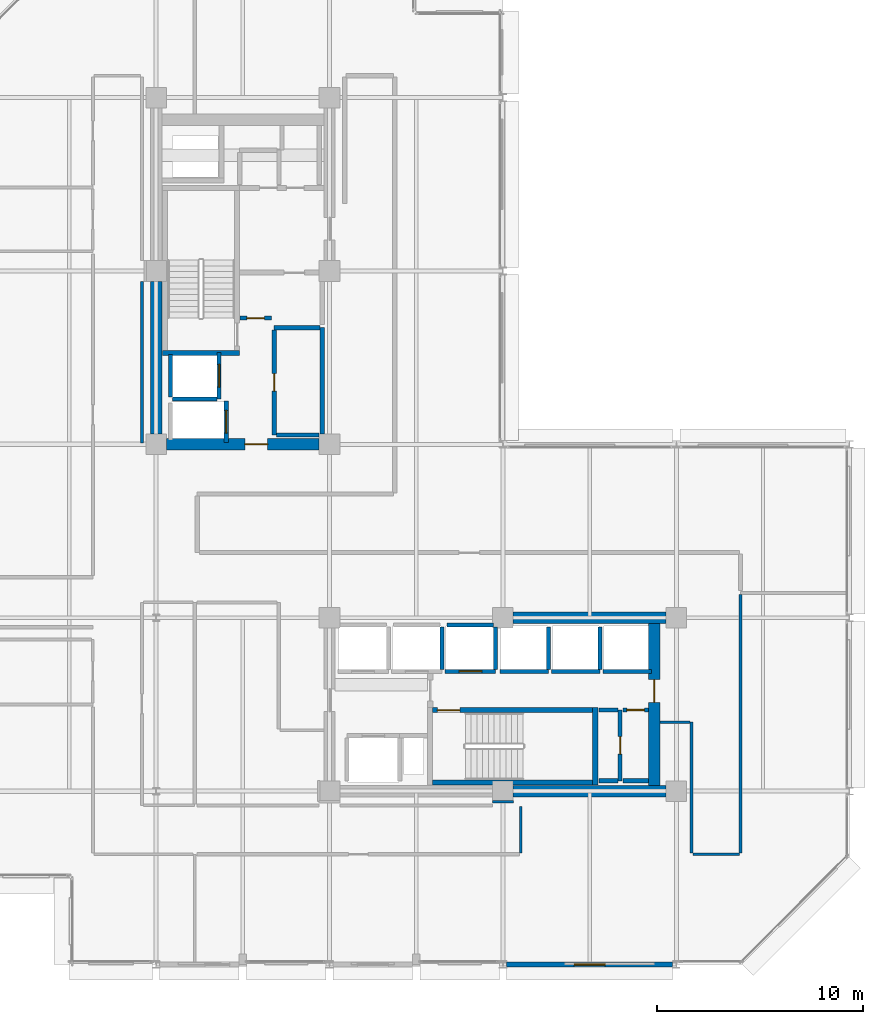
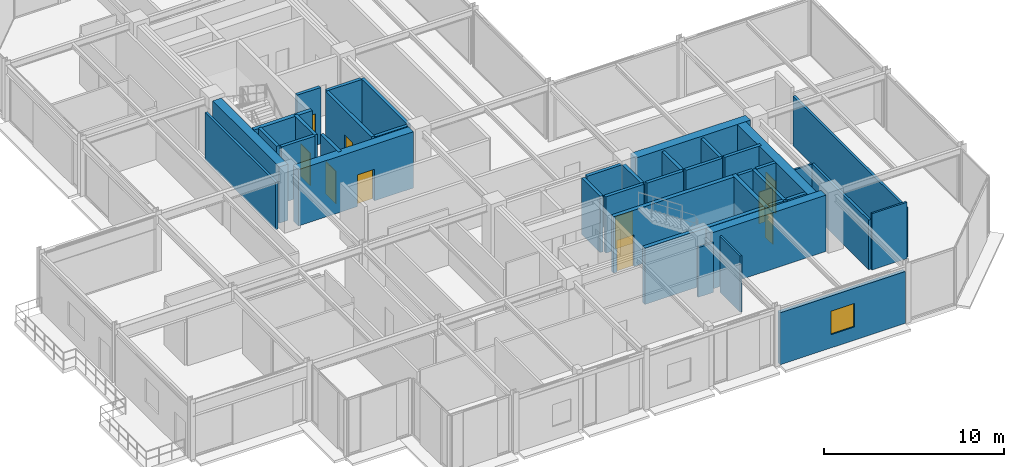
# One storey, part 25 of 29: 40 walls, 10 doors, 1 window, 11 openings.
"""IFC4 building model written with IfcOpenShell, lengths in metres."""

from ifc_helpers import new_model, si_unit, direction, frame, frame_2d, origin, place, context, subcontext, project, spatial, rectangle, extrude, material, layer, layer_set, type_object, element, fill, save


model = new_model("IFC4")

# Units and contexts
model_context = context("Model", 3, precision=1e-05, world=origin(), true_north=direction((0.0, 1.0)))
body_context = subcontext(model_context, "Body", "Model", "MODEL_VIEW")
ifc_project = project(units=[si_unit("LENGTHUNIT", "METRE"), si_unit("AREAUNIT", "SQUARE_METRE"), si_unit("VOLUMEUNIT", "CUBIC_METRE"), si_unit("PLANEANGLEUNIT", "RADIAN"), si_unit("MASSUNIT", "GRAM", prefix="KILO")], contexts=[model_context])

# Site, building, storey
site_placement = place(None, origin())
site = spatial("IfcSite", under=ifc_project, at=site_placement, CompositionType="ELEMENT")
building_placement = place(site_placement, origin())
building = spatial("IfcBuilding", under=site, at=building_placement, Name="Nerrivon Quay Data Exchange", CompositionType="ELEMENT")
storey_placement = place(building_placement, frame((0.0, 0.0, 179.60009765625)))
storey = spatial("IfcBuildingStorey", under=building, at=storey_placement, Name="L42", CompositionType="ELEMENT", Elevation=179.60009765625)

# Wall, opening, window
ifc_material_1 = material(Name="Architectural terracotta precast concrete N50 (50 MPa)", Category="masonry")
ifc_layer_1 = layer(ifc_material_1, 0.239990234375)
ifc_layer_set_1 = layer_set([ifc_layer_1], Name="Architectural terracotta precast concrete N50 (50 MPa)")
wall_type_1 = type_object("IfcWallType", Name="EW-PREC-240", PredefinedType="STANDARD", material=ifc_layer_set_1)
wall_1_placement = place(storey_placement, frame((33.425048828125, 0.0, 0.0), z_axis=(0.0, 0.0, 1.0), x_axis=(-1.0, 0.0, 0.0)))
wall_1 = element("IfcWall", 1, at=wall_1_placement, inside=storey, type_object=wall_type_1, Name="L42 Podium Precast Spandrel Wall 23", PredefinedType="STANDARD", context=body_context, shape_type="SweptSolid", body=[
    extrude(rectangle(XDim=8.050048828125, YDim=0.239990234375, at=frame_2d((4.02490234375, 0.0))), origin(), (0.0, 0.0, 1.0), 3.52490234375),
])
opening_1_placement = place(wall_1_placement, frame((3.27490234375, 0.0, 0.89990234375)))
opening_1 = element("IfcOpeningElement", 2, at=opening_1_placement, cuts=wall_1, Name="Opening WN4", PredefinedType="OPENING", context=body_context, shape_type="SweptSolid", body=[
    extrude(rectangle(XDim=1.5, YDim=1.60009765625, at=frame_2d((0.75, 0.800048828125))), frame((0.0, 0.1298828125, 0.0), z_axis=(0.0, -1.0, 0.0), x_axis=(1.0, 0.0, 0.0)), (0.0, 0.0, 1.0), 0.260009765625),
])
ifc_material_2 = material(Name="Double-glazed low-E solar control glass", Category="glass")
window_type = type_object("IfcWindowType", Name="WIN-W4-1500x1600", PartitioningType="SINGLE_PANEL", PredefinedType="WINDOW", material=ifc_material_2)
window_placement = place(opening_1_placement, origin())
window = element("IfcWindow", 3, at=window_placement, inside=storey, type_object=window_type, Name="L42 Solar Facade Window 23", OverallHeight=1.60009765625, OverallWidth=1.5, PartitioningType="SINGLE_PANEL", PredefinedType="WINDOW", context=body_context, shape_type="SweptSolid", body=[
    extrude(rectangle(XDim=1.5, YDim=1.60009765625, at=frame_2d((0.75, 0.800048828125))), frame((0.0, 0.030029296875, 0.0), z_axis=(0.0, -1.0, 0.0), x_axis=(1.0, 0.0, 0.0)), (0.0, 0.0, 1.0), 0.06005859375),
])
fill(opening_1, window)

# Wall
ifc_material_3 = material(Name="Concrete S65 (65 MPa)", Category="concrete")
ifc_layer_2 = layer(ifc_material_3, 0.550048828125)
ifc_layer_set_2 = layer_set([ifc_layer_2], Name="Concrete S65 (65 MPa)")
wall_type_2 = type_object("IfcWallType", Name="WALL-CW-700", PredefinedType="SHEAR", material=ifc_layer_set_2)
wall_2_placement = place(storey_placement, frame((8.39990234375, 25.699951171875, 0.0), z_axis=(0.0, 0.0, 1.0), x_axis=(0.0, 1.0, 0.0)))
element("IfcWall", 4, at=wall_2_placement, inside=storey, type_object=wall_type_2, Name="L42 West Split-Core Shear Wall WCW-W1", PredefinedType="SHEAR", context=body_context, shape_type="SweptSolid", body=[
    extrude(rectangle(XDim=7.400146484375, YDim=0.550048828125, at=frame_2d((3.7001953125, 0.0))), origin(), (0.0, 0.0, 1.0), 3.824951171875),
])

# Wall, opening, door
wall_3_placement = place(storey_placement, frame((8.89990234375, 25.199951171875, 0.0), z_axis=(0.0, 0.0, 1.0), x_axis=(1.0, 0.0, 0.0)))
wall_3 = element("IfcWall", 5, at=wall_3_placement, inside=storey, type_object=wall_type_2, Name="L42 West Split-Core Shear Wall WCW-S1", PredefinedType="SHEAR", context=body_context, shape_type="SweptSolid", body=[
    extrude(rectangle(XDim=7.400146484375, YDim=0.550048828125, at=frame_2d((3.7001953125, 0.0))), origin(), (0.0, 0.0, 1.0), 3.824951171875),
])
opening_2_placement = place(wall_3_placement, frame((3.800048828125, 0.0, 0.0)))
opening_2 = element("IfcOpeningElement", 6, at=opening_2_placement, cuts=wall_3, Name="Opening FD-120", PredefinedType="OPENING", context=body_context, shape_type="SweptSolid", body=[
    extrude(rectangle(XDim=1.10009765625, YDim=2.14990234375, at=frame_2d((0.550048828125, 1.074951171875))), frame((0.0, 0.284912109375, 0.0), z_axis=(0.0, -1.0, 0.0), x_axis=(1.0, 0.0, 0.0)), (0.0, 0.0, 1.0), 0.570068359375),
])
ifc_material_4 = material(Name="Powder-coated galvanized steel sheet", Category="steel")
door_type_1 = type_object("IfcDoorType", Name="DR-FD120-1100", OperationType="NOTDEFINED", PredefinedType="DOOR", material=ifc_material_4)
door_1_placement = place(opening_2_placement, origin())
door_1 = element("IfcDoor", 7, at=door_1_placement, inside=storey, type_object=door_type_1, Name="L42 West Core Lobby Fire Door", OperationType="SINGLE_SWING_LEFT", OverallHeight=2.14990234375, OverallWidth=1.10009765625, PredefinedType="DOOR", context=body_context, shape_type="SweptSolid", body=[
    extrude(rectangle(XDim=1.10009765625, YDim=2.14990234375, at=frame_2d((0.550048828125, 1.074951171875))), frame((0.0, 0.02490234375, 0.0), z_axis=(0.0, -1.0, 0.0), x_axis=(1.0, 0.0, 0.0)), (0.0, 0.0, 1.0), 0.050048828125),
])
fill(opening_2, door_1)

# Wall
wall_4_placement = place(storey_placement, frame((25.699951171875, 8.39990234375, 0.0), z_axis=(0.0, 0.0, 1.0), x_axis=(1.0, 0.0, 0.0)))
element("IfcWall", 8, at=wall_4_placement, inside=storey, type_object=wall_type_2, Name="L42 East Split-Core Shear Wall ECW-S2", PredefinedType="SHEAR", context=body_context, shape_type="SweptSolid", body=[
    extrude(rectangle(XDim=7.400146484375, YDim=0.550048828125, at=frame_2d((3.7001953125, 0.0))), origin(), (0.0, 0.0, 1.0), 3.824951171875),
])

# Wall, opening, door
wall_5_placement = place(storey_placement, frame((32.52490234375, 8.675048828125, 0.0), z_axis=(0.0, 0.0, 1.0), x_axis=(0.0, 1.0, 0.0)))
wall_5 = element("IfcWall", 9, at=wall_5_placement, inside=storey, type_object=wall_type_2, Name="L42 East Split-Core Shear Wall ECW-E1", PredefinedType="SHEAR", context=body_context, shape_type="SweptSolid", body=[
    extrude(rectangle(XDim=7.849853515625, YDim=0.550048828125, at=frame_2d((3.9248046875, 0.0))), origin(), (0.0, 0.0, 1.0), 3.824951171875),
])
opening_3_placement = place(wall_5_placement, frame((4.02490234375, 0.0, 0.0)))
opening_3 = element("IfcOpeningElement", 10, at=opening_3_placement, cuts=wall_5, Name="Opening FD-120", PredefinedType="OPENING", context=body_context, shape_type="SweptSolid", body=[
    extrude(rectangle(XDim=1.10009765625, YDim=2.14990234375, at=frame_2d((0.550048828125, 1.074951171875))), frame((0.0, 0.284912109375, 0.0), z_axis=(0.0, -1.0, 0.0), x_axis=(1.0, 0.0, 0.0)), (0.0, 0.0, 1.0), 0.570068359375),
])
door_2_placement = place(opening_3_placement, origin())
door_2 = element("IfcDoor", 11, at=door_2_placement, inside=storey, type_object=door_type_1, Name="L42 East Core Lobby Fire Door", OperationType="SINGLE_SWING_RIGHT", OverallHeight=2.14990234375, OverallWidth=1.10009765625, PredefinedType="DOOR", context=body_context, shape_type="SweptSolid", body=[
    extrude(rectangle(XDim=1.10009765625, YDim=2.14990234375, at=frame_2d((0.550048828125, 1.074951171875))), frame((0.0, 0.02490234375, 0.0), z_axis=(0.0, -1.0, 0.0), x_axis=(1.0, 0.0, 0.0)), (0.0, 0.0, 1.0), 0.050048828125),
])
fill(opening_3, door_2)

# Wall
wall_6_placement = place(storey_placement, frame((25.699951171875, 16.800048828125, 0.0), z_axis=(0.0, 0.0, 1.0), x_axis=(1.0, 0.0, 0.0)))
element("IfcWall", 12, at=wall_6_placement, inside=storey, type_object=wall_type_2, Name="L42 East Split-Core Shear Wall ECW-N1", PredefinedType="SHEAR", context=body_context, shape_type="SweptSolid", body=[
    extrude(rectangle(XDim=7.400146484375, YDim=0.550048828125, at=frame_2d((3.7001953125, 0.0))), origin(), (0.0, 0.0, 1.0), 3.824951171875),
])

# Wall, opening, door
ifc_material_5 = material(Name="Gypsum plasterboard on cold-formed framing", Category="gypsum")
ifc_layer_3 = layer(ifc_material_5, 0.199951171875)
ifc_layer_set_3 = layer_set([ifc_layer_3], Name="Gypsum plasterboard on cold-formed framing")
wall_type_3 = type_object("IfcWallType", Name="WALL-FW-200", PredefinedType="PARTITIONING", material=ifc_layer_set_3)
wall_7_placement = place(storey_placement, frame((11.449951171875, 27.39990234375, 0.0), z_axis=(0.0, 0.0, 1.0), x_axis=(0.0, 1.0, 0.0)))
wall_7 = element("IfcWall", 13, at=wall_7_placement, inside=storey, type_object=wall_type_3, Name="L42 Lift Front Wall FFL-1", PredefinedType="PARTITIONING", context=body_context, shape_type="SweptSolid", body=[
    extrude(rectangle(XDim=2.25, YDim=0.199951171875, at=frame_2d((1.125, 0.0))), origin(), (0.0, 0.0, 1.0), 3.824951171875),
])
opening_4_placement = place(wall_7_placement, frame((0.574951171875, 0.0, 0.0)))
opening_4 = element("IfcOpeningElement", 14, at=opening_4_placement, cuts=wall_7, Name="Opening LD-120", PredefinedType="OPENING", context=body_context, shape_type="SweptSolid", body=[
    extrude(rectangle(XDim=1.10009765625, YDim=2.199951171875, at=frame_2d((0.550048828125, 1.10009765625))), frame((0.0, 0.10986328125, 0.0), z_axis=(0.0, -1.0, 0.0), x_axis=(1.0, 0.0, 0.0)), (0.0, 0.0, 1.0), 0.219970703125),
])
door_type_2 = type_object("IfcDoorType", Name="DR-LIFT-LD120", OperationType="DOUBLE_DOOR_SLIDING", PredefinedType="DOOR", material=ifc_material_4)
door_3_placement = place(opening_4_placement, origin())
door_3 = element("IfcDoor", 15, at=door_3_placement, inside=storey, type_object=door_type_2, Name="L42 Lift Landing Sliding Door FFL-1", OperationType="DOUBLE_DOOR_SLIDING", OverallHeight=2.199951171875, OverallWidth=1.10009765625, PredefinedType="DOOR", context=body_context, shape_type="SweptSolid", body=[
    extrude(rectangle(XDim=1.10009765625, YDim=2.199951171875, at=frame_2d((0.550048828125, 1.10009765625))), frame((0.0, 0.02490234375, 0.0), z_axis=(0.0, -1.0, 0.0), x_axis=(1.0, 0.0, 0.0)), (0.0, 0.0, 1.0), 0.050048828125),
])
fill(opening_4, door_3)

# Walls
wall_8_placement = place(storey_placement, frame((9.10009765625, 27.5, 0.0), z_axis=(0.0, 0.0, 1.0), x_axis=(0.0, 1.0, 0.0)))
element("IfcWall", 16, at=wall_8_placement, inside=storey, type_object=wall_type_3, Name="L42 Lift Shaft Wall FFL-1 WEST", PredefinedType="PARTITIONING", context=body_context, shape_type="SweptSolid", body=[
    extrude(rectangle(XDim=2.050048828125, YDim=0.199951171875, at=frame_2d((1.02490234375, 0.0))), origin(), (0.0, 0.0, 1.0), 3.824951171875),
])
wall_9_placement = place(storey_placement, frame((9.199951171875, 27.39990234375, 0.0), z_axis=(0.0, 0.0, 1.0), x_axis=(1.0, 0.0, 0.0)))
element("IfcWall", 17, at=wall_9_placement, inside=storey, type_object=wall_type_3, Name="L42 Lift Shaft Wall FFL-1 SOUTH", PredefinedType="PARTITIONING", context=body_context, shape_type="SweptSolid", body=[
    extrude(rectangle(XDim=2.150146484375, YDim=0.199951171875, at=frame_2d((1.0751953125, 0.0))), origin(), (0.0, 0.0, 1.0), 3.824951171875),
])

# Wall, opening, door
wall_10_placement = place(storey_placement, frame((11.800048828125, 25.300048828125, 0.0), z_axis=(0.0, 0.0, 1.0), x_axis=(0.0, 1.0, 0.0)))
wall_10 = element("IfcWall", 18, at=wall_10_placement, inside=storey, type_object=wall_type_3, Name="L42 Lift Front Wall SVL-1", PredefinedType="PARTITIONING", context=body_context, shape_type="SweptSolid", body=[
    extrude(rectangle(XDim=2.0, YDim=0.199951171875, at=frame_2d((1.0, 0.0))), origin(), (0.0, 0.0, 1.0), 3.824951171875),
])
opening_5_placement = place(wall_10_placement, frame((0.449951171875, 0.0, 0.0)))
opening_5 = element("IfcOpeningElement", 19, at=opening_5_placement, cuts=wall_10, Name="Opening LD-120", PredefinedType="OPENING", context=body_context, shape_type="SweptSolid", body=[
    extrude(rectangle(XDim=1.10009765625, YDim=2.199951171875, at=frame_2d((0.550048828125, 1.10009765625))), frame((0.0, 0.10986328125, 0.0), z_axis=(0.0, -1.0, 0.0), x_axis=(1.0, 0.0, 0.0)), (0.0, 0.0, 1.0), 0.219970703125),
])
door_4_placement = place(opening_5_placement, origin())
door_4 = element("IfcDoor", 20, at=door_4_placement, inside=storey, type_object=door_type_2, Name="L42 Lift Landing Sliding Door SVL-1", OperationType="DOUBLE_DOOR_SLIDING", OverallHeight=2.199951171875, OverallWidth=1.10009765625, PredefinedType="DOOR", context=body_context, shape_type="SweptSolid", body=[
    extrude(rectangle(XDim=1.10009765625, YDim=2.199951171875, at=frame_2d((0.550048828125, 1.10009765625))), frame((0.0, 0.02490234375, 0.0), z_axis=(0.0, -1.0, 0.0), x_axis=(1.0, 0.0, 0.0)), (0.0, 0.0, 1.0), 0.050048828125),
])
fill(opening_5, door_4)

# Wall
wall_11_placement = place(storey_placement, frame((22.25, 14.300048828125, 0.0), z_axis=(0.0, 0.0, 1.0), x_axis=(0.0, 1.0, 0.0)))
element("IfcWall", 21, at=wall_11_placement, inside=storey, type_object=wall_type_3, Name="L42 Lift Shaft Wall PL5 EAST", PredefinedType="PARTITIONING", context=body_context, shape_type="SweptSolid", body=[
    extrude(rectangle(XDim=2.050048828125, YDim=0.199951171875, at=frame_2d((1.02490234375, 0.0))), origin(), (0.0, 0.0, 1.0), 3.824951171875),
])

# Wall, opening, door
wall_12_placement = place(storey_placement, frame((22.39990234375, 14.199951171875, 0.0), z_axis=(0.0, 0.0, 1.0), x_axis=(1.0, 0.0, 0.0)))
wall_12 = element("IfcWall", 22, at=wall_12_placement, inside=storey, type_object=wall_type_3, Name="L42 Lift Front Wall PL6", PredefinedType="PARTITIONING", context=body_context, shape_type="SweptSolid", body=[
    extrude(rectangle(XDim=2.4501953125, YDim=0.199951171875, at=frame_2d((1.22509765625, 0.0))), origin(), (0.0, 0.0, 1.0), 3.824951171875),
])
opening_6_placement = place(wall_12_placement, frame((0.675048828125, 0.0, 0.0)))
opening_6 = element("IfcOpeningElement", 23, at=opening_6_placement, cuts=wall_12, Name="Opening LD-120", PredefinedType="OPENING", context=body_context, shape_type="SweptSolid", body=[
    extrude(rectangle(XDim=1.10009765625, YDim=2.199951171875, at=frame_2d((0.550048828125, 1.10009765625))), frame((0.0, 0.10986328125, 0.0), z_axis=(0.0, -1.0, 0.0), x_axis=(1.0, 0.0, 0.0)), (0.0, 0.0, 1.0), 0.219970703125),
])
door_5_placement = place(opening_6_placement, origin())
door_5 = element("IfcDoor", 24, at=door_5_placement, inside=storey, type_object=door_type_2, Name="L42 Lift Landing Sliding Door PL6", OperationType="DOUBLE_DOOR_SLIDING", OverallHeight=2.199951171875, OverallWidth=1.10009765625, PredefinedType="DOOR", context=body_context, shape_type="SweptSolid", body=[
    extrude(rectangle(XDim=1.10009765625, YDim=2.199951171875, at=frame_2d((0.550048828125, 1.10009765625))), frame((0.0, 0.02490234375, 0.0), z_axis=(0.0, -1.0, 0.0), x_axis=(1.0, 0.0, 0.0)), (0.0, 0.0, 1.0), 0.050048828125),
])
fill(opening_6, door_5)

# Walls
wall_13_placement = place(storey_placement, frame((24.85009765625, 14.300048828125, 0.0), z_axis=(0.0, 0.0, 1.0), x_axis=(0.0, 1.0, 0.0)))
element("IfcWall", 25, at=wall_13_placement, inside=storey, type_object=wall_type_3, Name="L42 Lift Shaft Wall PL6 EAST", PredefinedType="PARTITIONING", context=body_context, shape_type="SweptSolid", body=[
    extrude(rectangle(XDim=2.050048828125, YDim=0.199951171875, at=frame_2d((1.02490234375, 0.0))), origin(), (0.0, 0.0, 1.0), 3.824951171875),
])
wall_14_placement = place(storey_placement, frame((22.5, 16.449951171875, 0.0), z_axis=(0.0, 0.0, 1.0), x_axis=(1.0, 0.0, 0.0)))
element("IfcWall", 26, at=wall_14_placement, inside=storey, type_object=wall_type_3, Name="L42 Lift Shaft Wall PL6 NORTH", PredefinedType="PARTITIONING", context=body_context, shape_type="SweptSolid", body=[
    extrude(rectangle(XDim=2.25, YDim=0.199951171875, at=frame_2d((1.125, 0.0))), origin(), (0.0, 0.0, 1.0), 3.824951171875),
])
wall_15_placement = place(storey_placement, frame((25.050048828125, 14.199951171875, 0.0), z_axis=(0.0, 0.0, 1.0), x_axis=(1.0, 0.0, 0.0)))
element("IfcWall", 27, at=wall_15_placement, inside=storey, type_object=wall_type_3, Name="L42 Lift Front Wall PL7", PredefinedType="PARTITIONING", context=body_context, shape_type="SweptSolid", body=[
    extrude(rectangle(XDim=2.349853515625, YDim=0.199951171875, at=frame_2d((1.1748046875, 0.0))), origin(), (0.0, 0.0, 1.0), 3.824951171875),
])
wall_16_placement = place(storey_placement, frame((27.39990234375, 14.300048828125, 0.0), z_axis=(0.0, 0.0, 1.0), x_axis=(0.0, 1.0, 0.0)))
element("IfcWall", 28, at=wall_16_placement, inside=storey, type_object=wall_type_3, Name="L42 Lift Shaft Wall PL7 EAST", PredefinedType="PARTITIONING", context=body_context, shape_type="SweptSolid", body=[
    extrude(rectangle(XDim=2.050048828125, YDim=0.199951171875, at=frame_2d((1.02490234375, 0.0))), origin(), (0.0, 0.0, 1.0), 3.824951171875),
])
wall_17_placement = place(storey_placement, frame((27.550048828125, 14.199951171875, 0.0), z_axis=(0.0, 0.0, 1.0), x_axis=(1.0, 0.0, 0.0)))
element("IfcWall", 29, at=wall_17_placement, inside=storey, type_object=wall_type_3, Name="L42 Lift Front Wall PL8", PredefinedType="PARTITIONING", context=body_context, shape_type="SweptSolid", body=[
    extrude(rectangle(XDim=2.349853515625, YDim=0.199951171875, at=frame_2d((1.1748046875, 0.0))), origin(), (0.0, 0.0, 1.0), 3.824951171875),
])
wall_18_placement = place(storey_placement, frame((29.89990234375, 14.300048828125, 0.0), z_axis=(0.0, 0.0, 1.0), x_axis=(0.0, 1.0, 0.0)))
element("IfcWall", 30, at=wall_18_placement, inside=storey, type_object=wall_type_3, Name="L42 Lift Shaft Wall PL8 EAST", PredefinedType="PARTITIONING", context=body_context, shape_type="SweptSolid", body=[
    extrude(rectangle(XDim=2.050048828125, YDim=0.199951171875, at=frame_2d((1.02490234375, 0.0))), origin(), (0.0, 0.0, 1.0), 3.824951171875),
])
wall_19_placement = place(storey_placement, frame((30.050048828125, 14.199951171875, 0.0), z_axis=(0.0, 0.0, 1.0), x_axis=(1.0, 0.0, 0.0)))
element("IfcWall", 31, at=wall_19_placement, inside=storey, type_object=wall_type_3, Name="L42 Lift Front Wall PL9", PredefinedType="PARTITIONING", context=body_context, shape_type="SweptSolid", body=[
    extrude(rectangle(XDim=2.349853515625, YDim=0.199951171875, at=frame_2d((1.1748046875, 0.0))), origin(), (0.0, 0.0, 1.0), 3.824951171875),
])
wall_20_placement = place(storey_placement, frame((16.449951171875, 25.705078125, 0.0), z_axis=(0.0, 0.0, 1.0), x_axis=(0.0, 1.0, 0.0)))
element("IfcWall", 32, at=wall_20_placement, inside=storey, type_object=wall_type_3, Name="L42 Partition Fibre Patch Store", PredefinedType="PARTITIONING", context=body_context, shape_type="SweptSolid", body=[
    extrude(rectangle(XDim=5.14501953125, YDim=0.199951171875, at=frame_2d((2.572509765625, 0.0))), origin(), (0.0, 0.0, 1.0), 3.824951171875),
])
wall_21_placement = place(storey_placement, frame((16.345947265625, 30.85009765625, 0.0), z_axis=(0.0, 0.0, 1.0), x_axis=(-1.0, 0.0, 0.0)))
element("IfcWall", 33, at=wall_21_placement, inside=storey, type_object=wall_type_3, Name="L42 Partition Fibre Patch Store", PredefinedType="PARTITIONING", context=body_context, shape_type="SweptSolid", body=[
    extrude(rectangle(XDim=2.225830078125, YDim=0.199951171875, at=frame_2d((1.11279296875, 0.0))), origin(), (0.0, 0.0, 1.0), 3.824951171875),
])

# Wall, opening, door
wall_22_placement = place(storey_placement, frame((14.1201171875, 30.74609375, 0.0), z_axis=(0.0, 0.0, 1.0), x_axis=(0.0, -1.0, 0.0)))
wall_22 = element("IfcWall", 34, at=wall_22_placement, inside=storey, type_object=wall_type_3, Name="L42 Partition Fibre Patch Store", PredefinedType="PARTITIONING", context=body_context, shape_type="SweptSolid", body=[
    extrude(rectangle(XDim=5.09619140625, YDim=0.199951171875, at=frame_2d((2.548095703125, 0.0))), origin(), (0.0, 0.0, 1.0), 3.824951171875),
])
opening_7_placement = place(wall_22_placement, frame((2.123046875, 0.0, 0.0)))
opening_7 = element("IfcOpeningElement", 35, at=opening_7_placement, cuts=wall_22, Name="Opening FD-60S", PredefinedType="OPENING", context=body_context, shape_type="SweptSolid", body=[
    extrude(rectangle(XDim=0.85009765625, YDim=2.14990234375, at=frame_2d((0.425048828125, 1.074951171875))), frame((0.0, 0.10986328125, 0.0), z_axis=(0.0, -1.0, 0.0), x_axis=(1.0, 0.0, 0.0)), (0.0, 0.0, 1.0), 0.219970703125),
])
ifc_material_6 = material(Name="Engineered hardwood timber", Category="wood")
door_type_3 = type_object("IfcDoorType", Name="DR-FD60-850", OperationType="NOTDEFINED", PredefinedType="DOOR", material=ifc_material_6)
door_6_placement = place(opening_7_placement, origin())
door_6 = element("IfcDoor", 36, at=door_6_placement, inside=storey, type_object=door_type_3, Name="L42 Door Fibre Patch Store", OperationType="SINGLE_SWING_RIGHT", OverallHeight=2.14990234375, OverallWidth=0.85009765625, PredefinedType="DOOR", context=body_context, shape_type="SweptSolid", body=[
    extrude(rectangle(XDim=0.85009765625, YDim=2.14990234375, at=frame_2d((0.425048828125, 1.074951171875))), frame((0.0, 0.02490234375, 0.0), z_axis=(0.0, -1.0, 0.0), x_axis=(1.0, 0.0, 0.0)), (0.0, 0.0, 1.0), 0.050048828125),
])
fill(opening_7, door_6)

# Wall
wall_23_placement = place(storey_placement, frame((14.22412109375, 25.64990234375, 0.0), z_axis=(0.0, 0.0, 1.0), x_axis=(1.0, 0.0, 0.0)))
element("IfcWall", 37, at=wall_23_placement, inside=storey, type_object=wall_type_3, Name="L42 Partition Fibre Patch Store", PredefinedType="PARTITIONING", context=body_context, shape_type="SweptSolid", body=[
    extrude(rectangle(XDim=2.07080078125, YDim=0.199951171875, at=frame_2d((1.035400390625, 0.0))), origin(), (0.0, 0.0, 1.0), 3.824951171875),
])

# Wall, opening, door
wall_24_placement = place(storey_placement, frame((12.4541015625, 31.320068359375, 0.0), z_axis=(0.0, 0.0, 1.0), x_axis=(0.999999949061, -0.000319182876, 0.0)))
wall_24 = element("IfcWall", 38, at=wall_24_placement, inside=storey, type_object=wall_type_3, Name="L42 Partition Core Equipment Closet", PredefinedType="PARTITIONING", context=body_context, shape_type="SweptSolid", body=[
    extrude(rectangle(XDim=1.52978515625, YDim=0.199951171875, at=frame_2d((0.764892578125, 0.0))), origin(), (0.0, 0.0, 1.0), 3.824951171875),
])
opening_8_placement = place(wall_24_placement, frame((0.340087890625, 0.0, 0.0)))
opening_8 = element("IfcOpeningElement", 39, at=opening_8_placement, cuts=wall_24, Name="Opening FD-60S", PredefinedType="OPENING", context=body_context, shape_type="SweptSolid", body=[
    extrude(rectangle(XDim=0.85009765625, YDim=2.14990234375, at=frame_2d((0.425048828125, 1.074951171875))), frame((0.0, 0.10986328125, 0.0), z_axis=(0.0, -1.0, 0.0), x_axis=(1.0, 0.0, 0.0)), (0.0, 0.0, 1.0), 0.219970703125),
])
door_7_placement = place(opening_8_placement, origin())
door_7 = element("IfcDoor", 40, at=door_7_placement, inside=storey, type_object=door_type_3, Name="L42 Door Core Equipment Closet", OperationType="SINGLE_SWING_LEFT", OverallHeight=2.14990234375, OverallWidth=0.85009765625, PredefinedType="DOOR", context=body_context, shape_type="SweptSolid", body=[
    extrude(rectangle(XDim=0.85009765625, YDim=2.14990234375, at=frame_2d((0.425048828125, 1.074951171875))), frame((0.0, 0.02490234375, 0.0), z_axis=(0.0, -1.0, 0.0), x_axis=(1.0, 0.0, 0.0)), (0.0, 0.0, 1.0), 0.050048828125),
])
fill(opening_8, door_7)

wall_25_placement = place(storey_placement, frame((30.8798828125, 8.89990234375, 0.0), z_axis=(0.0, 0.0, 1.0), x_axis=(0.0, 1.0, 0.0)))
wall_25 = element("IfcWall", 41, at=wall_25_placement, inside=storey, type_object=wall_type_3, Name="L42 Partition East Electrical Closet", PredefinedType="PARTITIONING", context=body_context, shape_type="SweptSolid", body=[
    extrude(rectangle(XDim=3.43017578125, YDim=0.199951171875, at=frame_2d((1.715087890625, 0.0))), origin(), (0.0, 0.0, 1.0), 3.824951171875),
])
opening_9_placement = place(wall_25_placement, frame((1.2900390625, 0.0, 0.0)))
opening_9 = element("IfcOpeningElement", 42, at=opening_9_placement, cuts=wall_25, Name="Opening FD-60S", PredefinedType="OPENING", context=body_context, shape_type="SweptSolid", body=[
    extrude(rectangle(XDim=0.85009765625, YDim=2.14990234375, at=frame_2d((0.425048828125, 1.074951171875))), frame((0.0, 0.10986328125, 0.0), z_axis=(0.0, -1.0, 0.0), x_axis=(1.0, 0.0, 0.0)), (0.0, 0.0, 1.0), 0.219970703125),
])
door_8_placement = place(opening_9_placement, origin())
door_8 = element("IfcDoor", 43, at=door_8_placement, inside=storey, type_object=door_type_3, Name="L42 Door East Electrical Closet", OperationType="SINGLE_SWING_RIGHT", OverallHeight=2.14990234375, OverallWidth=0.85009765625, PredefinedType="DOOR", context=body_context, shape_type="SweptSolid", body=[
    extrude(rectangle(XDim=0.85009765625, YDim=2.14990234375, at=frame_2d((0.425048828125, 1.074951171875))), frame((0.0, 0.02490234375, 0.0), z_axis=(0.0, -1.0, 0.0), x_axis=(1.0, 0.0, 0.0)), (0.0, 0.0, 1.0), 0.050048828125),
])
fill(opening_9, door_8)

# Walls
for number, where, z_axis, x_axis, name in (
    (44, (30.77587890625, 12.330078125, 0.0), (0.0, 0.0, 1.0), (-1.0, 0.0, 0.0), "L42 Partition East Electrical Closet"),
    (45, (29.85009765625, 8.89990234375, 0.0), (0.0, 0.0, 1.0), (1.0, 0.0, 0.0), "L42 Partition East Electrical Closet"),
):
    element("IfcWall", number, at=place(storey_placement, frame(where, z_axis=z_axis, x_axis=x_axis)), inside=storey, type_object=wall_type_3, Name=name, PredefinedType="PARTITIONING", context=body_context, shape_type="SweptSolid", body=[
        extrude(rectangle(XDim=0.92578125, YDim=0.199951171875, at=frame_2d((0.462890625, 0.0))), origin(), (0.0, 0.0, 1.0), 3.824951171875),
    ])

# Wall, opening, door
wall_26_placement = place(storey_placement, frame((32.24609375, 12.330078125, 0.0), z_axis=(0.0, 0.0, 1.0), x_axis=(-1.0, 0.0, 0.0)))
wall_26 = element("IfcWall", 46, at=wall_26_placement, inside=storey, type_object=wall_type_3, Name="L42 Partition East Cleaners Store", PredefinedType="PARTITIONING", context=body_context, shape_type="SweptSolid", body=[
    extrude(rectangle(XDim=1.22607421875, YDim=0.199951171875, at=frame_2d((0.613037109375, 0.0))), origin(), (0.0, 0.0, 1.0), 3.824951171875),
])
opening_10_placement = place(wall_26_placement, frame((0.18798828125, 0.0, 0.0)))
opening_10 = element("IfcOpeningElement", 47, at=opening_10_placement, cuts=wall_26, Name="Opening FD-60S", PredefinedType="OPENING", context=body_context, shape_type="SweptSolid", body=[
    extrude(rectangle(XDim=0.85009765625, YDim=2.14990234375, at=frame_2d((0.425048828125, 1.074951171875))), frame((0.0, 0.10986328125, 0.0), z_axis=(0.0, -1.0, 0.0), x_axis=(1.0, 0.0, 0.0)), (0.0, 0.0, 1.0), 0.219970703125),
])
door_9_placement = place(opening_10_placement, origin())
door_9 = element("IfcDoor", 48, at=door_9_placement, inside=storey, type_object=door_type_3, Name="L42 Door East Cleaners Store", OperationType="SINGLE_SWING_LEFT", OverallHeight=2.14990234375, OverallWidth=0.85009765625, PredefinedType="DOOR", context=body_context, shape_type="SweptSolid", body=[
    extrude(rectangle(XDim=0.85009765625, YDim=2.14990234375, at=frame_2d((0.425048828125, 1.074951171875))), frame((0.0, 0.02490234375, 0.0), z_axis=(0.0, -1.0, 0.0), x_axis=(1.0, 0.0, 0.0)), (0.0, 0.0, 1.0), 0.050048828125),
])
fill(opening_10, door_9)

# Walls
wall_27_placement = place(storey_placement, frame((31.02001953125, 8.89990234375, 0.0), z_axis=(0.0, 0.0, 1.0), x_axis=(1.0, 0.0, 0.0)))
element("IfcWall", 49, at=wall_27_placement, inside=storey, type_object=wall_type_3, Name="L42 Partition East Cleaners Store", PredefinedType="PARTITIONING", context=body_context, shape_type="SweptSolid", body=[
    extrude(rectangle(XDim=1.22607421875, YDim=0.199951171875, at=frame_2d((0.613037109375, 0.0))), origin(), (0.0, 0.0, 1.0), 3.824951171875),
])
ifc_layer_4 = layer(ifc_material_5, 0.1201171875)
ifc_layer_set_4 = layer_set([ifc_layer_4], Name="Gypsum plasterboard on cold-formed framing")
wall_type_4 = type_object("IfcWallType", Name="WALL-PT-120", PredefinedType="PARTITIONING", material=ifc_layer_set_4)
wall_28_placement = place(storey_placement, frame((36.656005859375, 5.34033203125, 0.0), z_axis=(0.0, 0.0, 1.0), x_axis=(-0.999999994145, -0.000108213396, 0.0)))
element("IfcWall", 50, at=wall_28_placement, inside=storey, type_object=wall_type_4, Name="L42 Partition Technical Library", PredefinedType="PARTITIONING", context=body_context, shape_type="SweptSolid", body=[
    extrude(rectangle(XDim=2.256103515625, YDim=0.1201171875, at=frame_2d((1.1279296875, 0.0))), origin(), (0.0, 0.0, 1.0), 3.824951171875),
])
wall_29_placement = place(storey_placement, frame((34.260986328125, 11.739990234375, 0.0), z_axis=(0.0, 0.0, 1.0), x_axis=(-1.0, 0.0, 0.0)))
element("IfcWall", 51, at=wall_29_placement, inside=storey, type_object=wall_type_4, Name="L42 Partition Technical Library", PredefinedType="PARTITIONING", context=body_context, shape_type="SweptSolid", body=[
    extrude(rectangle(XDim=1.45703125, YDim=0.1201171875, at=frame_2d((0.728515625, 0.0))), origin(), (0.0, 0.0, 1.0), 3.370849609375),
])
wall_30_placement = place(storey_placement, frame((25.703857421875, 7.88037109375, 0.0), z_axis=(0.0, 0.0, 1.0), x_axis=(-0.999999881717, -0.000486381265, 0.0)))
element("IfcWall", 52, at=wall_30_placement, inside=storey, type_object=wall_type_4, Name="L42 Partition Technical Library", PredefinedType="PARTITIONING", context=body_context, shape_type="SweptSolid", body=[
    extrude(rectangle(XDim=1.00390625, YDim=0.1201171875, at=frame_2d((0.501953125, 0.0))), origin(), (0.0, 0.0, 1.0), 3.370849609375),
])
wall_31_placement = place(storey_placement, frame((26.06005859375, 7.64990234375, 0.0), z_axis=(0.0, 0.0, 1.0), x_axis=(0.0, -1.0, 0.0)))
element("IfcWall", 53, at=wall_31_placement, inside=storey, type_object=wall_type_4, Name="L42 Partition Technical Library", PredefinedType="PARTITIONING", context=body_context, shape_type="SweptSolid", body=[
    extrude(rectangle(XDim=2.25, YDim=0.1201171875, at=frame_2d((1.125, 0.0))), origin(), (0.0, 0.0, 1.0), 3.824951171875),
])
ifc_layer_5 = layer(ifc_material_5, 0.14990234375)
ifc_layer_set_5 = layer_set([ifc_layer_5], Name="Gypsum plasterboard on cold-formed framing")
wall_type_5 = type_object("IfcWallType", Name="WALL-PT-150", PredefinedType="PARTITIONING", material=ifc_layer_set_5)
wall_32_placement = place(storey_placement, frame((7.7099609375, 33.095947265625, 0.0), z_axis=(0.0, 0.0, 1.0), x_axis=(0.0, -1.0, 0.0)))
element("IfcWall", 54, at=wall_32_placement, inside=storey, type_object=wall_type_5, Name="L42 Partition Network Security Control", PredefinedType="PARTITIONING", context=body_context, shape_type="SweptSolid", body=[
    extrude(rectangle(XDim=7.8359375, YDim=0.14990234375, at=frame_2d((3.91796875, 0.0))), origin(), (0.0, 0.0, 1.0), 3.212890625),
])
wall_33_placement = place(storey_placement, frame((36.7099609375, 17.927734375, 0.0), z_axis=(0.0, 0.0, 1.0), x_axis=(0.0, -1.0, 0.0)))
element("IfcWall", 55, at=wall_33_placement, inside=storey, type_object=wall_type_5, Name="L42 Partition Technical Library", PredefinedType="PARTITIONING", context=body_context, shape_type="SweptSolid", body=[
    extrude(rectangle(XDim=12.52783203125, YDim=0.14990234375, at=frame_2d((6.263916015625, 0.0))), origin(), (0.0, 0.0, 1.0), 3.364990234375),
])
wall_34_placement = place(storey_placement, frame((34.340087890625, 5.39990234375, 0.0), z_axis=(0.0, 0.0, 1.0), x_axis=(0.0, 1.0, 0.0)))
element("IfcWall", 56, at=wall_34_placement, inside=storey, type_object=wall_type_5, Name="L42 Partition Technical Library", PredefinedType="PARTITIONING", context=body_context, shape_type="SweptSolid", body=[
    extrude(rectangle(XDim=6.340087890625, YDim=0.14990234375, at=frame_2d((3.169921875, 0.0))), origin(), (0.0, 0.0, 1.0), 3.364990234375),
])
ifc_material_7 = material(Name="Concrete N50 (50 MPa)", Category="concrete")
ifc_layer_6 = layer(ifc_material_7, 0.25)
ifc_layer_set_6 = layer_set([ifc_layer_6], Name="Concrete N50 (50 MPa)")
wall_type_6 = type_object("IfcWallType", Name="WALL-SW-250", PredefinedType="SHEAR", material=ifc_layer_set_6)
for number, where, z_axis, x_axis, name in (
    (57, (12.449951171875, 29.625, 0.0), (0.0, 0.0, 1.0), (-1.0, 0.0, 0.0), "L42 ST01 Structural Stair Core Wall NEAR"),
    (58, (29.675048828125, 8.699951171875, 0.0), (0.0, 0.0, 1.0), (0.0, 1.0, 0.0), "L42 ST02 Structural Stair Core Wall FAR"),
):
    element("IfcWall", number, at=place(storey_placement, frame(where, z_axis=z_axis, x_axis=x_axis)), inside=storey, type_object=wall_type_6, Name=name, PredefinedType="SHEAR", context=body_context, shape_type="SweptSolid", body=[
        extrude(rectangle(XDim=3.75, YDim=0.25, at=frame_2d((1.875, 0.0))), origin(), (0.0, 0.0, 1.0), 3.824951171875),
    ])
wall_35_placement = place(storey_placement, frame((21.800048828125, 8.824951171875, 0.0), z_axis=(0.0, 0.0, 1.0), x_axis=(1.0, 0.0, 0.0)))
element("IfcWall", 59, at=wall_35_placement, inside=storey, type_object=wall_type_6, Name="L42 ST02 Structural Stair Core Wall LEFT", PredefinedType="SHEAR", context=body_context, shape_type="SweptSolid", body=[
    extrude(rectangle(XDim=7.75, YDim=0.25, at=frame_2d((3.875, 0.0))), origin(), (0.0, 0.0, 1.0), 3.824951171875),
])

# Wall, opening, door
wall_36_placement = place(storey_placement, frame((21.800048828125, 12.324951171875, 0.0), z_axis=(0.0, 0.0, 1.0), x_axis=(1.0, 0.0, 0.0)))
wall_36 = element("IfcWall", 60, at=wall_36_placement, inside=storey, type_object=wall_type_6, Name="L42 ST02 Structural Stair Core Wall RIGHT", PredefinedType="SHEAR", context=body_context, shape_type="SweptSolid", body=[
    extrude(rectangle(XDim=7.75, YDim=0.25, at=frame_2d((3.875, 0.0))), origin(), (0.0, 0.0, 1.0), 3.824951171875),
])
opening_11_placement = place(wall_36_placement, frame((0.219970703125, 0.0, 0.0)))
opening_11 = element("IfcOpeningElement", 61, at=opening_11_placement, cuts=wall_36, Name="Opening FD-120", PredefinedType="OPENING", context=body_context, shape_type="SweptSolid", body=[
    extrude(rectangle(XDim=1.10009765625, YDim=2.14990234375, at=frame_2d((0.550048828125, 1.074951171875))), frame((0.0, 0.135009765625, 0.0), z_axis=(0.0, -1.0, 0.0), x_axis=(1.0, 0.0, 0.0)), (0.0, 0.0, 1.0), 0.27001953125),
])
door_10_placement = place(opening_11_placement, origin())
door_10 = element("IfcDoor", 62, at=door_10_placement, inside=storey, type_object=door_type_1, Name="L42 Protected Stair Door ST02", OperationType="SINGLE_SWING_LEFT", OverallHeight=2.14990234375, OverallWidth=1.10009765625, PredefinedType="DOOR", context=body_context, shape_type="SweptSolid", body=[
    extrude(rectangle(XDim=1.10009765625, YDim=2.14990234375, at=frame_2d((0.550048828125, 1.074951171875))), frame((0.0, 0.02490234375, 0.0), z_axis=(0.0, -1.0, 0.0), x_axis=(1.0, 0.0, 0.0)), (0.0, 0.0, 1.0), 0.050048828125),
])
fill(opening_11, door_10)

save(model, "model.ifc")
